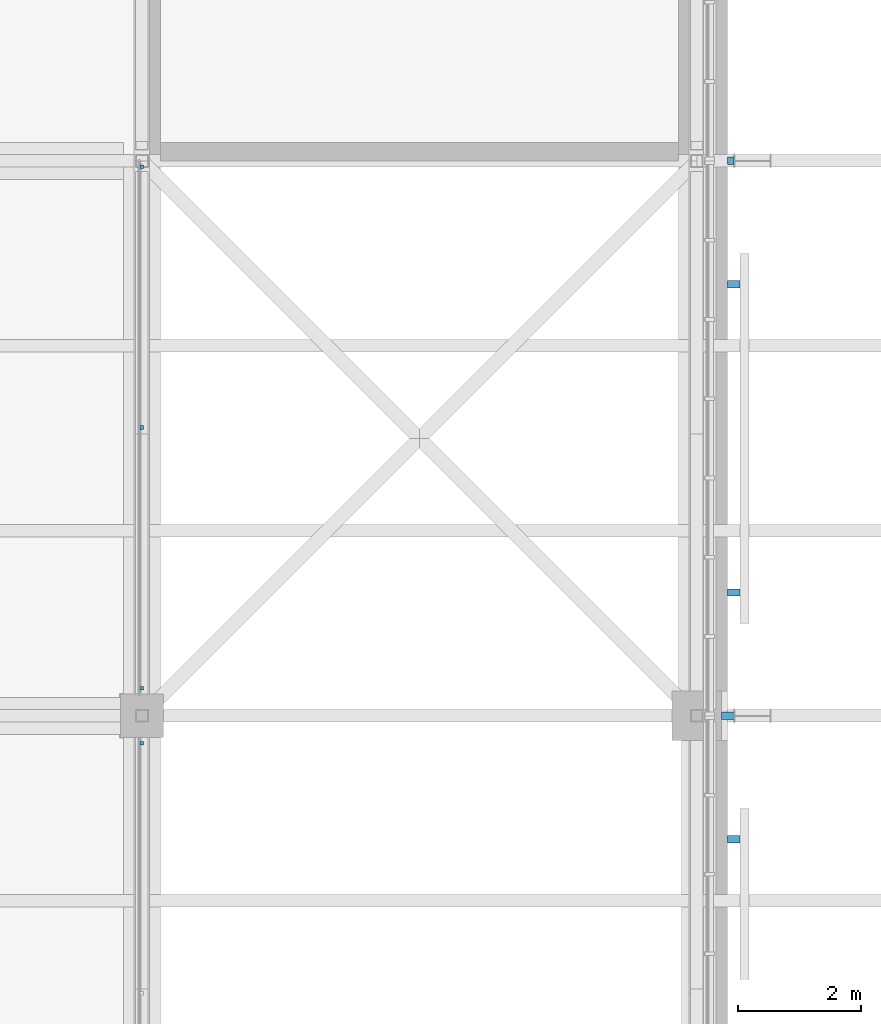
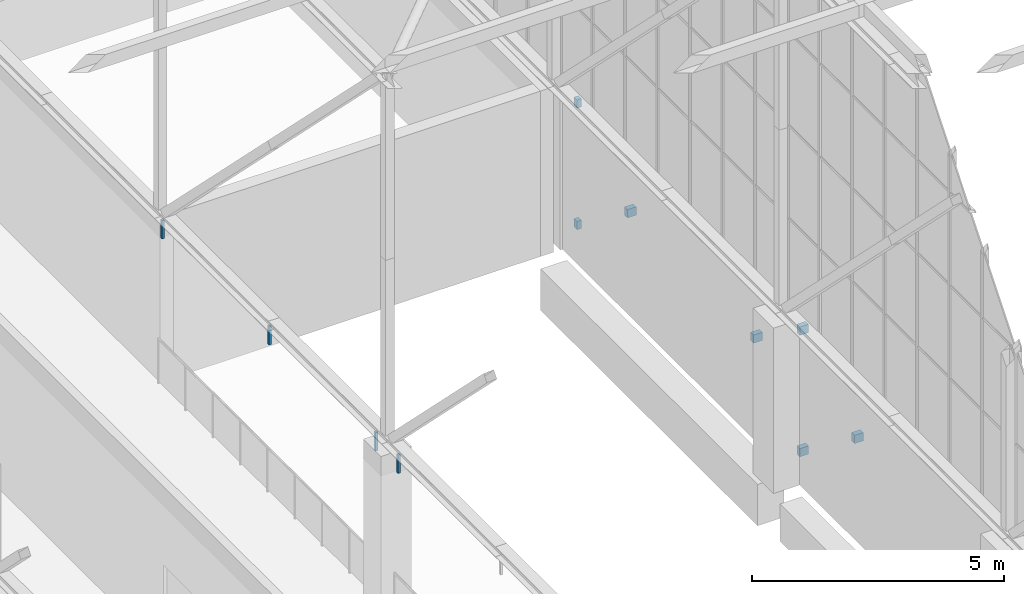
# One storey, part 214 of 646: 11 discrete accessories.
"""IFC4 building model written with IfcOpenShell, lengths in metres."""

import ifcopenshell
import ifcopenshell.guid

model = None  # the IFC model being written
_history = None  # IfcOwnerHistory: only IFC2X3 demands one
_inside = {}  # id of a spatial element -> (the spatial element, [elements in it])
_under = {}  # id of a project, library or spatial element -> (it, [spatial elements below it])
_declared = {}  # id of a project -> (the project, [libraries it declares])
_typed = {}  # id of a type object -> (the type object, [elements of that type])
_made_of = {}  # id of a material, layer set ... -> (it, [elements and type objects made of it])


def new_model(schema):
    """Start an empty IFC model of exactly this schema.

    Asked for "IFC4X3", IfcOpenShell would pick the latest addendum, in which some entities
    have other attributes; the version numbers below select the first issue.
    IFC2X3 requires an IfcOwnerHistory on every rooted entity: one is made here for all.
    """
    global model, _history
    if schema == "IFC4X3":
        model = ifcopenshell.file(schema_version=(4, 3, 0, 0))
    else:
        model = ifcopenshell.file(schema=schema)
    _inside.clear()
    _under.clear()
    _declared.clear()
    _typed.clear()
    _made_of.clear()
    _history = None
    if model.schema == "IFC2X3":
        org = make("IfcOrganization", Name="unknown")
        user = make(
            "IfcPersonAndOrganization",
            ThePerson=make("IfcPerson", FamilyName="unknown"),
            TheOrganization=org,
        )
        app = make(
            "IfcApplication",
            ApplicationDeveloper=org,
            Version="unknown",
            ApplicationFullName="unknown",
            ApplicationIdentifier="unknown",
        )
        _history = make(
            "IfcOwnerHistory",
            OwningUser=user,
            OwningApplication=app,
            ChangeAction="ADDED",
            CreationDate=0,
        )
    return model


def make(cls, **values):
    """One entity of the class cls with the attributes given. An attribute that is None is left unset."""
    return model.create_entity(
        cls, **{name: value for name, value in values.items() if value is not None}
    )


def rooted(cls, **values):
    """An entity with a GlobalId (a new one), such as an element, a storey or a relation."""
    return make(cls, GlobalId=ifcopenshell.guid.new(), OwnerHistory=_history, **values)


def si_unit(unit_type, name, prefix=None):
    """IfcSIUnit, for example si_unit("LENGTHUNIT", "METRE", prefix="MILLI")."""
    return make("IfcSIUnit", UnitType=unit_type, Prefix=prefix, Name=name)


def assignment(units):
    """IfcUnitAssignment: the units of a project."""
    return None if units is None else make("IfcUnitAssignment", Units=units)


def point(xyz):
    """IfcCartesianPoint."""
    return None if xyz is None else make("IfcCartesianPoint", Coordinates=xyz)


def direction(xyz):
    """IfcDirection."""
    return None if xyz is None else make("IfcDirection", DirectionRatios=xyz)


def frame(location, z_axis=None, x_axis=None):
    """IfcAxis2Placement3D, a coordinate frame: its origin and axes. An axis left out is left unset."""
    return make(
        "IfcAxis2Placement3D",
        Location=point(location),
        Axis=direction(z_axis),
        RefDirection=direction(x_axis),
    )


def frame_2d(location, x_axis=None):
    """IfcAxis2Placement2D, a coordinate frame in the plane: its origin and x axis."""
    return make(
        "IfcAxis2Placement2D", Location=point(location), RefDirection=direction(x_axis)
    )


def origin():
    """The frame at (0, 0, 0) with its axes left unset."""
    return frame((0.0, 0.0, 0.0))


def origin_2d():
    """The frame at (0, 0) in the plane with its x axis left unset."""
    return frame_2d((0.0, 0.0))


def place(relative_to, where):
    """IfcLocalPlacement: puts the frame where relative to a parent placement (None: the world)."""
    return make(
        "IfcLocalPlacement", PlacementRelTo=relative_to, RelativePlacement=where
    )


def context(
    kind, dimensions, precision=None, world=None, true_north=None, identifier=None
):
    """IfcGeometricRepresentationContext, for example the 3D "Model" context."""
    return make(
        "IfcGeometricRepresentationContext",
        ContextIdentifier=identifier,
        ContextType=kind,
        CoordinateSpaceDimension=dimensions,
        Precision=precision,
        WorldCoordinateSystem=world,
        TrueNorth=true_north,
    )


def subcontext(parent, identifier, kind, view, scale=None):
    """IfcGeometricRepresentationSubContext, for example "Body" below "Model"."""
    return make(
        "IfcGeometricRepresentationSubContext",
        ContextIdentifier=identifier,
        ContextType=kind,
        ParentContext=parent,
        TargetScale=scale,
        TargetView=view,
    )


def project(units=None, contexts=None):
    """IfcProject with its units and contexts."""
    return rooted(
        "IfcProject",
        Name="project",
        RepresentationContexts=contexts,
        UnitsInContext=assignment(units),
    )


def spatial(cls, under=None, at=None, **own):
    """A site, building, storey or space (cls), placed at a placement, below another one or the project."""
    s = rooted(cls, ObjectPlacement=at, **own)
    if under is not None:
        _under.setdefault(under.id(), (under, []))[1].append(s)
    return s


def profile(cls, at=None, kind="AREA", **sizes):
    """A parametric profile (cls). Its sizes go by their IFC names, for example OverallWidth=200.0."""
    return make(cls, ProfileType=kind, Position=at, **sizes)


def rectangle(**sizes):
    """IfcRectangleProfileDef."""
    return profile("IfcRectangleProfileDef", **sizes)


def extrude(swept, where, along, depth):
    """IfcExtrudedAreaSolid: the profile swept, set in the frame where, extruded along a direction by depth."""
    return make(
        "IfcExtrudedAreaSolid",
        SweptArea=swept,
        Position=where,
        ExtrudedDirection=direction(along),
        Depth=depth,
    )


def shape(context_of_items, identifier, shape_type, items):
    """IfcShapeRepresentation: the items that make up one representation, for example the "Body"."""
    return make(
        "IfcShapeRepresentation",
        ContextOfItems=context_of_items,
        RepresentationIdentifier=identifier,
        RepresentationType=shape_type,
        Items=items,
    )


def material(Name=None, Category=None):
    """IfcMaterial."""
    return make("IfcMaterial", Name=Name, Category=Category)


def made_of(thing, what):
    """Note that an element or type object is made of a material, layer set ...; save() writes the relation."""
    if what is not None:
        _made_of.setdefault(what.id(), (what, []))[1].append(thing)
    return thing


def type_object(cls, material=None, **own):
    """A type object (cls), such as IfcWallType, which elements share."""
    return made_of(rooted(cls, **own), material)


def element(
    cls,
    number,
    at=None,
    inside=None,
    cuts=None,
    type_object=None,
    material=None,
    context=None,
    identifier="Body",
    shape_type=None,
    held_by="IfcProductDefinitionShape",
    body=None,
    shapes=None,
    **own,
):
    """One element of the class cls, such as IfcWall. Its Tag is "e" and its number.

    at: its placement. inside: the storey or other place that contains it. cuts: it is an
    opening in that element (IfcRelVoidsElement). A single representation is given by context,
    identifier, shape_type and body (its items); several are given by shapes. held_by: the class
    of the entity that holds the representations. save() writes the other relations.
    """
    e = rooted(cls, Tag="e%d" % number, ObjectPlacement=at, **own)
    if body is not None:
        shapes = [shape(context, identifier, shape_type, body)]
    if shapes is not None:
        e.Representation = make(held_by, Representations=shapes)
    if inside is not None:
        _inside.setdefault(inside.id(), (inside, []))[1].append(e)
    if cuts is not None:
        rooted(
            "IfcRelVoidsElement", RelatingBuildingElement=cuts, RelatedOpeningElement=e
        )
    if type_object is not None:
        _typed.setdefault(type_object.id(), (type_object, []))[1].append(e)
    return made_of(e, material)


def aggregate(whole, parts):
    """IfcRelAggregates: a whole, such as a stair, and the parts it consists of."""
    return rooted("IfcRelAggregates", RelatingObject=whole, RelatedObjects=parts)


def save(model, path):
    """Write the relations noted so far, then the file.

    IfcRelAggregates (storeys below a building ...), IfcRelContainedInSpatialStructure (elements
    in a storey), IfcRelDefinesByType, IfcRelAssociatesMaterial and IfcRelDeclares: one each for
    every whole, place, type object, material and project.
    """
    for whole, parts in _under.values():
        aggregate(whole, parts)
    for where, things in _inside.values():
        rooted(
            "IfcRelContainedInSpatialStructure",
            RelatedElements=things,
            RelatingStructure=where,
        )
    for kind, things in _typed.values():
        rooted("IfcRelDefinesByType", RelatedObjects=things, RelatingType=kind)
    for what, things in _made_of.values():
        rooted("IfcRelAssociatesMaterial", RelatedObjects=things, RelatingMaterial=what)
    for by, libraries in _declared.values():
        rooted("IfcRelDeclares", RelatingContext=by, RelatedDefinitions=libraries)
    model.write(path)


model = new_model("IFC4")

# Units and contexts
model_context = context("Model", 3, precision=1e-05, world=origin(), true_north=direction((0.0, 1.0)))
body_context = subcontext(model_context, "Body", "Model", "MODEL_VIEW")
ifc_project = project(units=[si_unit("LENGTHUNIT", "METRE"), si_unit("AREAUNIT", "SQUARE_METRE"), si_unit("VOLUMEUNIT", "CUBIC_METRE"), si_unit("PLANEANGLEUNIT", "RADIAN"), si_unit("MASSUNIT", "GRAM", prefix="KILO")], contexts=[model_context])

# Site, building, storey
site_placement = place(None, origin())
site = spatial("IfcSite", under=ifc_project, at=site_placement, CompositionType="ELEMENT")
building_placement = place(site_placement, origin())
building = spatial("IfcBuilding", under=site, at=building_placement, Name="Silverbay Arena", CompositionType="ELEMENT")
storey_placement = place(building_placement, frame((0.0, 0.0, 33.5)))
storey = spatial("IfcBuildingStorey", under=building, at=storey_placement, Name="L05", CompositionType="ELEMENT", Elevation=33.5)

# Discrete accessories
ifc_material_1 = material(Name="Steel S355", Category="steel")
discrete_accessory_type_1 = type_object("IfcDiscreteAccessoryType", Name="Ceiling hanger", PredefinedType="BRACKET", material=ifc_material_1)
for number, where, z_axis, x_axis, name in (
    (1, (198.0, 44.554931640625, 3.5498046875), (0.0, 0.0, 1.0), (1.0, 0.0, 0.0), "Ceiling hanger"),
    (2, (198.0, 45.445068359375, 3.5498046875), (0.0, 0.0, 1.0), (1.0, 0.0, 0.0), "Ceiling hanger"),
    (3, (198.0, 49.675048828125, 3.5498046875), (0.0, 0.0, 1.0), (1.0, 0.0, 0.0), "Ceiling hanger"),
    (4, (198.0, 53.905029296875, 3.5498046875), (0.0, 0.0, 1.0), (1.0, 0.0, 0.0), "Ceiling hanger"),
):
    element("IfcDiscreteAccessory", number, at=place(storey_placement, frame(where, z_axis=z_axis, x_axis=x_axis)), inside=storey, type_object=discrete_accessory_type_1, Name=name, PredefinedType="BRACKET", context=body_context, shape_type="SweptSolid", body=[
        extrude(rectangle(XDim=0.06005859375, YDim=0.06005859375, at=origin_2d()), origin(), (0.0, 0.0, 1.0), 0.449951171875),
    ])
ifc_material_2 = material(Name="Steel S355", Category="steel")
discrete_accessory_type_2 = type_object("IfcDiscreteAccessoryType", Name="Steel bracket plate", PredefinedType="BRACKET", material=ifc_material_2)
for number, where, z_axis, x_axis, name in (
    (5, (207.60009765625, 43.0, 1.89990234375), (0.0, 0.0, 1.0), (0.0, 1.0, 0.0), "Louvre support bracket"),
    (6, (207.60009765625, 47.0, 1.89990234375), (0.0, 0.0, 1.0), (0.0, 1.0, 0.0), "Louvre support bracket"),
    (7, (207.60009765625, 52.0, 1.89990234375), (0.0, 0.0, 1.0), (0.0, 1.0, 0.0), "Louvre support bracket"),
):
    element("IfcDiscreteAccessory", number, at=place(storey_placement, frame(where, z_axis=z_axis, x_axis=x_axis)), inside=storey, type_object=discrete_accessory_type_2, Name=name, PredefinedType="BRACKET", context=body_context, shape_type="SweptSolid", body=[
        extrude(rectangle(XDim=0.1201171875, YDim=0.199951171875, at=origin_2d()), origin(), (0.0, 0.0, 1.0), 0.199951171875),
    ])
for number, where, z_axis, x_axis, name in (
    (8, (207.5, 45.0, 0.39990234375), (0.0, 0.0, 1.0), (1.0, 0.0, 0.0), "Fin bracket"),
    (9, (207.5, 45.0, 3.33984375), (0.0, 0.0, 1.0), (1.0, 0.0, 0.0), "Fin bracket"),
):
    element("IfcDiscreteAccessory", number, at=place(storey_placement, frame(where, z_axis=z_axis, x_axis=x_axis)), inside=storey, type_object=discrete_accessory_type_2, Name=name, PredefinedType="BRACKET", context=body_context, shape_type="SweptSolid", body=[
        extrude(rectangle(XDim=0.199951171875, YDim=0.1201171875, at=origin_2d()), origin(), (0.0, 0.0, 1.0), 0.199951171875),
    ])
for number, where, z_axis, x_axis, name in (
    (10, (207.550048828125, 54.0, 0.39990234375), (0.0, 0.0, 1.0), (1.0, 0.0, 0.0), "Fin bracket"),
    (11, (207.550048828125, 54.0, 3.33984375), (0.0, 0.0, 1.0), (1.0, 0.0, 0.0), "Fin bracket"),
):
    element("IfcDiscreteAccessory", number, at=place(storey_placement, frame(where, z_axis=z_axis, x_axis=x_axis)), inside=storey, type_object=discrete_accessory_type_2, Name=name, PredefinedType="BRACKET", context=body_context, shape_type="SweptSolid", body=[
        extrude(rectangle(XDim=0.10009765625, YDim=0.1201171875, at=origin_2d()), origin(), (0.0, 0.0, 1.0), 0.199951171875),
    ])

save(model, "model.ifc")
